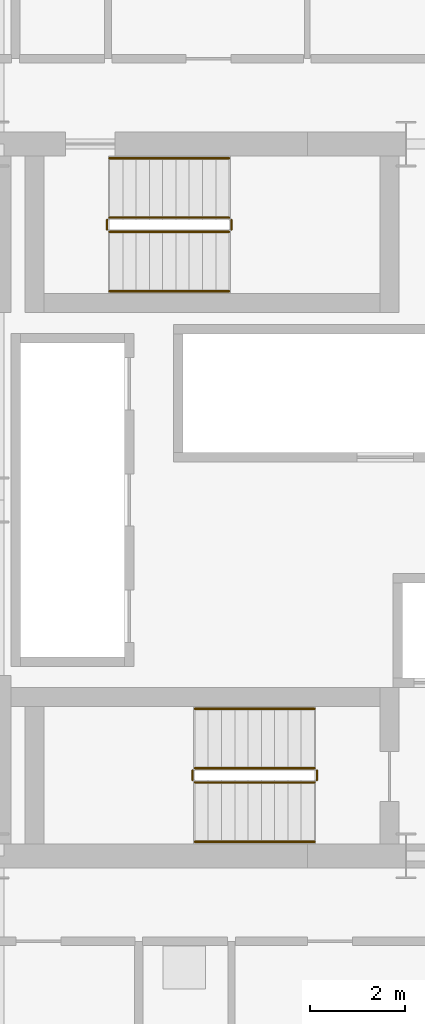
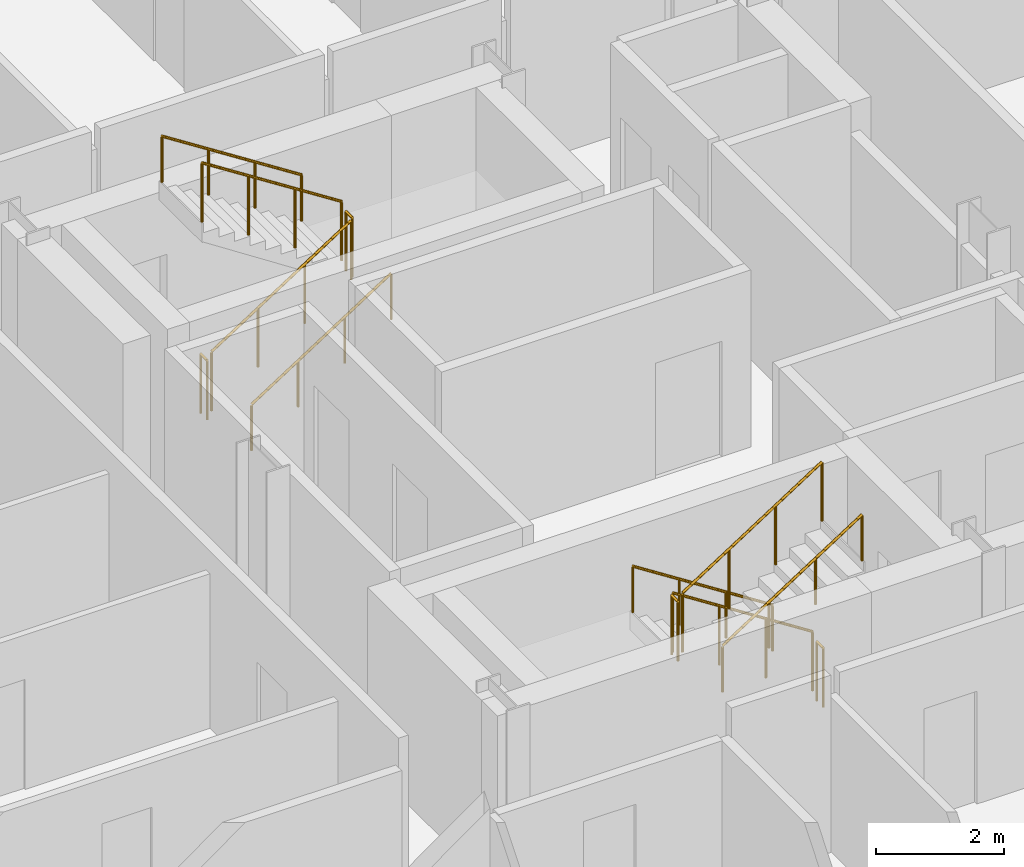
# One storey, part 23 of 24: 12 railings.
"""IFC4 building model written with IfcOpenShell, lengths in metres."""

import ifcopenshell
import ifcopenshell.guid

model = None  # the IFC model being written
_history = None  # IfcOwnerHistory: only IFC2X3 demands one
_inside = {}  # id of a spatial element -> (the spatial element, [elements in it])
_under = {}  # id of a project, library or spatial element -> (it, [spatial elements below it])
_declared = {}  # id of a project -> (the project, [libraries it declares])
_typed = {}  # id of a type object -> (the type object, [elements of that type])
_made_of = {}  # id of a material, layer set ... -> (it, [elements and type objects made of it])


def new_model(schema):
    """Start an empty IFC model of exactly this schema.

    Asked for "IFC4X3", IfcOpenShell would pick the latest addendum, in which some entities
    have other attributes; the version numbers below select the first issue.
    IFC2X3 requires an IfcOwnerHistory on every rooted entity: one is made here for all.
    """
    global model, _history
    if schema == "IFC4X3":
        model = ifcopenshell.file(schema_version=(4, 3, 0, 0))
    else:
        model = ifcopenshell.file(schema=schema)
    _inside.clear()
    _under.clear()
    _declared.clear()
    _typed.clear()
    _made_of.clear()
    _history = None
    if model.schema == "IFC2X3":
        org = make("IfcOrganization", Name="unknown")
        user = make(
            "IfcPersonAndOrganization",
            ThePerson=make("IfcPerson", FamilyName="unknown"),
            TheOrganization=org,
        )
        app = make(
            "IfcApplication",
            ApplicationDeveloper=org,
            Version="unknown",
            ApplicationFullName="unknown",
            ApplicationIdentifier="unknown",
        )
        _history = make(
            "IfcOwnerHistory",
            OwningUser=user,
            OwningApplication=app,
            ChangeAction="ADDED",
            CreationDate=0,
        )
    return model


def make(cls, **values):
    """One entity of the class cls with the attributes given. An attribute that is None is left unset."""
    return model.create_entity(
        cls, **{name: value for name, value in values.items() if value is not None}
    )


def rooted(cls, **values):
    """An entity with a GlobalId (a new one), such as an element, a storey or a relation."""
    return make(cls, GlobalId=ifcopenshell.guid.new(), OwnerHistory=_history, **values)


def si_unit(unit_type, name, prefix=None):
    """IfcSIUnit, for example si_unit("LENGTHUNIT", "METRE", prefix="MILLI")."""
    return make("IfcSIUnit", UnitType=unit_type, Prefix=prefix, Name=name)


def assignment(units):
    """IfcUnitAssignment: the units of a project."""
    return None if units is None else make("IfcUnitAssignment", Units=units)


def point(xyz):
    """IfcCartesianPoint."""
    return None if xyz is None else make("IfcCartesianPoint", Coordinates=xyz)


def direction(xyz):
    """IfcDirection."""
    return None if xyz is None else make("IfcDirection", DirectionRatios=xyz)


def frame(location, z_axis=None, x_axis=None):
    """IfcAxis2Placement3D, a coordinate frame: its origin and axes. An axis left out is left unset."""
    return make(
        "IfcAxis2Placement3D",
        Location=point(location),
        Axis=direction(z_axis),
        RefDirection=direction(x_axis),
    )


def frame_2d(location, x_axis=None):
    """IfcAxis2Placement2D, a coordinate frame in the plane: its origin and x axis."""
    return make(
        "IfcAxis2Placement2D", Location=point(location), RefDirection=direction(x_axis)
    )


def origin():
    """The frame at (0, 0, 0) with its axes left unset."""
    return frame((0.0, 0.0, 0.0))


def origin_2d():
    """The frame at (0, 0) in the plane with its x axis left unset."""
    return frame_2d((0.0, 0.0))


def place(relative_to, where):
    """IfcLocalPlacement: puts the frame where relative to a parent placement (None: the world)."""
    return make(
        "IfcLocalPlacement", PlacementRelTo=relative_to, RelativePlacement=where
    )


def context(
    kind, dimensions, precision=None, world=None, true_north=None, identifier=None
):
    """IfcGeometricRepresentationContext, for example the 3D "Model" context."""
    return make(
        "IfcGeometricRepresentationContext",
        ContextIdentifier=identifier,
        ContextType=kind,
        CoordinateSpaceDimension=dimensions,
        Precision=precision,
        WorldCoordinateSystem=world,
        TrueNorth=true_north,
    )


def subcontext(parent, identifier, kind, view, scale=None):
    """IfcGeometricRepresentationSubContext, for example "Body" below "Model"."""
    return make(
        "IfcGeometricRepresentationSubContext",
        ContextIdentifier=identifier,
        ContextType=kind,
        ParentContext=parent,
        TargetScale=scale,
        TargetView=view,
    )


def project(units=None, contexts=None):
    """IfcProject with its units and contexts."""
    return rooted(
        "IfcProject",
        Name="project",
        RepresentationContexts=contexts,
        UnitsInContext=assignment(units),
    )


def spatial(cls, under=None, at=None, **own):
    """A site, building, storey or space (cls), placed at a placement, below another one or the project."""
    s = rooted(cls, ObjectPlacement=at, **own)
    if under is not None:
        _under.setdefault(under.id(), (under, []))[1].append(s)
    return s


def profile(cls, at=None, kind="AREA", **sizes):
    """A parametric profile (cls). Its sizes go by their IFC names, for example OverallWidth=200.0."""
    return make(cls, ProfileType=kind, Position=at, **sizes)


def circle(**sizes):
    """IfcCircleProfileDef."""
    return profile("IfcCircleProfileDef", **sizes)


def extrude(swept, where, along, depth):
    """IfcExtrudedAreaSolid: the profile swept, set in the frame where, extruded along a direction by depth."""
    return make(
        "IfcExtrudedAreaSolid",
        SweptArea=swept,
        Position=where,
        ExtrudedDirection=direction(along),
        Depth=depth,
    )


def shape(context_of_items, identifier, shape_type, items):
    """IfcShapeRepresentation: the items that make up one representation, for example the "Body"."""
    return make(
        "IfcShapeRepresentation",
        ContextOfItems=context_of_items,
        RepresentationIdentifier=identifier,
        RepresentationType=shape_type,
        Items=items,
    )


def material(Name=None, Category=None):
    """IfcMaterial."""
    return make("IfcMaterial", Name=Name, Category=Category)


def made_of(thing, what):
    """Note that an element or type object is made of a material, layer set ...; save() writes the relation."""
    if what is not None:
        _made_of.setdefault(what.id(), (what, []))[1].append(thing)
    return thing


def type_object(cls, material=None, **own):
    """A type object (cls), such as IfcWallType, which elements share."""
    return made_of(rooted(cls, **own), material)


def element(
    cls,
    number,
    at=None,
    inside=None,
    cuts=None,
    type_object=None,
    material=None,
    context=None,
    identifier="Body",
    shape_type=None,
    held_by="IfcProductDefinitionShape",
    body=None,
    shapes=None,
    **own,
):
    """One element of the class cls, such as IfcWall. Its Tag is "e" and its number.

    at: its placement. inside: the storey or other place that contains it. cuts: it is an
    opening in that element (IfcRelVoidsElement). A single representation is given by context,
    identifier, shape_type and body (its items); several are given by shapes. held_by: the class
    of the entity that holds the representations. save() writes the other relations.
    """
    e = rooted(cls, Tag="e%d" % number, ObjectPlacement=at, **own)
    if body is not None:
        shapes = [shape(context, identifier, shape_type, body)]
    if shapes is not None:
        e.Representation = make(held_by, Representations=shapes)
    if inside is not None:
        _inside.setdefault(inside.id(), (inside, []))[1].append(e)
    if cuts is not None:
        rooted(
            "IfcRelVoidsElement", RelatingBuildingElement=cuts, RelatedOpeningElement=e
        )
    if type_object is not None:
        _typed.setdefault(type_object.id(), (type_object, []))[1].append(e)
    return made_of(e, material)


def aggregate(whole, parts):
    """IfcRelAggregates: a whole, such as a stair, and the parts it consists of."""
    return rooted("IfcRelAggregates", RelatingObject=whole, RelatedObjects=parts)


def save(model, path):
    """Write the relations noted so far, then the file.

    IfcRelAggregates (storeys below a building ...), IfcRelContainedInSpatialStructure (elements
    in a storey), IfcRelDefinesByType, IfcRelAssociatesMaterial and IfcRelDeclares: one each for
    every whole, place, type object, material and project.
    """
    for whole, parts in _under.values():
        aggregate(whole, parts)
    for where, things in _inside.values():
        rooted(
            "IfcRelContainedInSpatialStructure",
            RelatedElements=things,
            RelatingStructure=where,
        )
    for kind, things in _typed.values():
        rooted("IfcRelDefinesByType", RelatedObjects=things, RelatingType=kind)
    for what, things in _made_of.values():
        rooted("IfcRelAssociatesMaterial", RelatedObjects=things, RelatingMaterial=what)
    for by, libraries in _declared.values():
        rooted("IfcRelDeclares", RelatingContext=by, RelatedDefinitions=libraries)
    model.write(path)


model = new_model("IFC4")

# Units and contexts
model_context = context("Model", 3, precision=1e-05, world=origin(), true_north=direction((0.0, 1.0)))
body_context = subcontext(model_context, "Body", "Model", "MODEL_VIEW")
ifc_project = project(units=[si_unit("LENGTHUNIT", "METRE"), si_unit("AREAUNIT", "SQUARE_METRE"), si_unit("VOLUMEUNIT", "CUBIC_METRE"), si_unit("PLANEANGLEUNIT", "RADIAN"), si_unit("MASSUNIT", "GRAM", prefix="KILO")], contexts=[model_context])

# Site, building, storey
site_placement = place(None, origin())
site = spatial("IfcSite", under=ifc_project, at=site_placement, CompositionType="ELEMENT")
building_placement = place(site_placement, origin())
building = spatial("IfcBuilding", under=site, at=building_placement, Name="Barlavira Tower and Art Museum", CompositionType="ELEMENT")
storey_placement = place(building_placement, frame((0.0, 0.0, 46.800048828125)))
storey = spatial("IfcBuildingStorey", under=building, at=storey_placement, Name="L10", CompositionType="ELEMENT", Elevation=46.800048828125)

# Railings
ifc_material = material(Name="Brushed stainless steel", Category="steel")
railing_type_1 = type_object("IfcRailingType", Name="Interior Void and Landing Guard Railing 1150", PredefinedType="GUARDRAIL", material=ifc_material)
railing_1_placement = place(storey_placement, frame((0.14990234375, -5.64990234375, 0.179931640625)))
element("IfcRailing", 1, at=railing_1_placement, inside=storey, type_object=railing_type_1, Name="L10 ST-T1 stair guard 1", PredefinedType="GUARDRAIL", context=body_context, shape_type="SweptSolid", body=[
    extrude(circle(Radius=0.02392578125, at=origin_2d()), frame((0.0, 0.0, 1.1259765625), z_axis=(-0.841162588446, 0.0, 0.540782303519), x_axis=(0.0, -1.0, 0.0)), (0.0, 0.0, 1.0), 2.995849609375),
    extrude(circle(Radius=0.02099609375, at=origin_2d()), origin(), (0.0, 0.0, 1.0), 1.101806640625),
    extrude(circle(Radius=0.02099609375, at=origin_2d()), frame((-0.840087890625, 0.0, 0.5400390625)), (0.0, 0.0, 1.0), 1.101806640625),
    extrude(circle(Radius=0.02099609375, at=origin_2d()), frame((-1.679931640625, 0.0, 1.080078125)), (0.0, 0.0, 1.0), 1.101806640625),
    extrude(circle(Radius=0.02099609375, at=origin_2d()), frame((-2.52001953125, 0.0, 1.6201171875)), (0.0, 0.0, 1.0), 1.101806640625),
])
railing_2_placement = place(storey_placement, frame((-2.419921875, -5.699951171875, 1.800048828125)))
element("IfcRailing", 2, at=railing_2_placement, inside=storey, type_object=railing_type_1, Name="L10 ST-T1 stair guard 2", PredefinedType="GUARDRAIL", context=body_context, shape_type="SweptSolid", body=[
    extrude(circle(Radius=0.02392578125, at=origin_2d()), frame((0.0, 0.0, 1.1259765625), z_axis=(0.0, -1.0, 0.0), x_axis=(1.0, 0.0, 0.0)), (0.0, 0.0, 1.0), 0.199951171875),
    extrude(circle(Radius=0.02099609375, at=origin_2d()), origin(), (0.0, 0.0, 1.0), 1.101806640625),
    extrude(circle(Radius=0.02099609375, at=origin_2d()), frame((0.0, -0.199951171875, 0.0)), (0.0, 0.0, 1.0), 1.101806640625),
])
railing_3_placement = place(storey_placement, frame((-2.3701171875, -5.949951171875, 1.97998046875)))
element("IfcRailing", 3, at=railing_3_placement, inside=storey, type_object=railing_type_1, Name="L10 ST-T1 stair guard 3", PredefinedType="GUARDRAIL", context=body_context, shape_type="SweptSolid", body=[
    extrude(circle(Radius=0.02392578125, at=origin_2d()), frame((0.0, 0.0, 1.1259765625), z_axis=(0.841199657755, 0.0, 0.540724639528), x_axis=(0.0, 1.0, 0.0)), (0.0, 0.0, 1.0), 2.995849609375),
    extrude(circle(Radius=0.02099609375, at=origin_2d()), origin(), (0.0, 0.0, 1.0), 1.101806640625),
    extrude(circle(Radius=0.02099609375, at=origin_2d()), frame((0.840087890625, 0.0, 0.5400390625)), (0.0, 0.0, 1.0), 1.101806640625),
    extrude(circle(Radius=0.02099609375, at=origin_2d()), frame((1.679931640625, 0.0, 1.079833984375)), (0.0, 0.0, 1.0), 1.101806640625),
    extrude(circle(Radius=0.02099609375, at=origin_2d()), frame((2.52001953125, 0.0, 1.619873046875)), (0.0, 0.0, 1.0), 1.101806640625),
])
railing_4_placement = place(storey_placement, frame((0.199951171875, -5.699951171875, 0.0)))
element("IfcRailing", 4, at=railing_4_placement, inside=storey, type_object=railing_type_1, Name="L10 ST-T1 stair guard 4", PredefinedType="GUARDRAIL", context=body_context, shape_type="SweptSolid", body=[
    extrude(circle(Radius=0.02392578125, at=origin_2d()), frame((0.0, 0.0, 1.1259765625), z_axis=(0.0, -1.0, 0.0), x_axis=(1.0, 0.0, 0.0)), (0.0, 0.0, 1.0), 0.199951171875),
    extrude(circle(Radius=0.02099609375, at=origin_2d()), origin(), (0.0, 0.0, 1.0), 1.101806640625),
    extrude(circle(Radius=0.02099609375, at=origin_2d()), frame((0.0, -0.199951171875, 0.0)), (0.0, 0.0, 1.0), 1.101806640625),
])
railing_5_placement = place(storey_placement, frame((-4.169921875, 5.64990234375, 0.179931640625)))
element("IfcRailing", 5, at=railing_5_placement, inside=storey, type_object=railing_type_1, Name="L10 ST-T2 stair guard 1", PredefinedType="GUARDRAIL", context=body_context, shape_type="SweptSolid", body=[
    extrude(circle(Radius=0.02392578125, at=origin_2d()), frame((0.0, 0.0, 1.1259765625), z_axis=(0.841162588446, 0.0, 0.540782303519), x_axis=(0.0, 1.0, 0.0)), (0.0, 0.0, 1.0), 2.995849609375),
    extrude(circle(Radius=0.02099609375, at=origin_2d()), origin(), (0.0, 0.0, 1.0), 1.101806640625),
    extrude(circle(Radius=0.02099609375, at=origin_2d()), frame((0.840087890625, 0.0, 0.5400390625)), (0.0, 0.0, 1.0), 1.101806640625),
    extrude(circle(Radius=0.02099609375, at=origin_2d()), frame((1.679931640625, 0.0, 1.080078125)), (0.0, 0.0, 1.0), 1.101806640625),
    extrude(circle(Radius=0.02099609375, at=origin_2d()), frame((2.52001953125, 0.0, 1.6201171875)), (0.0, 0.0, 1.0), 1.101806640625),
])
railing_6_placement = place(storey_placement, frame((-1.60009765625, 5.699951171875, 1.800048828125)))
element("IfcRailing", 6, at=railing_6_placement, inside=storey, type_object=railing_type_1, Name="L10 ST-T2 stair guard 2", PredefinedType="GUARDRAIL", context=body_context, shape_type="SweptSolid", body=[
    extrude(circle(Radius=0.02392578125, at=origin_2d()), frame((0.0, 0.0, 1.1259765625), z_axis=(0.0, 1.0, 0.0), x_axis=(-1.0, 0.0, 0.0)), (0.0, 0.0, 1.0), 0.199951171875),
    extrude(circle(Radius=0.02099609375, at=origin_2d()), origin(), (0.0, 0.0, 1.0), 1.101806640625),
    extrude(circle(Radius=0.02099609375, at=origin_2d()), frame((0.0, 0.199951171875, 0.0)), (0.0, 0.0, 1.0), 1.101806640625),
])
railing_7_placement = place(storey_placement, frame((-1.64990234375, 5.949951171875, 1.97998046875)))
element("IfcRailing", 7, at=railing_7_placement, inside=storey, type_object=railing_type_1, Name="L10 ST-T2 stair guard 3", PredefinedType="GUARDRAIL", context=body_context, shape_type="SweptSolid", body=[
    extrude(circle(Radius=0.02392578125, at=origin_2d()), frame((0.0, 0.0, 1.1259765625), z_axis=(-0.841199657755, 0.0, 0.540724639528), x_axis=(0.0, -1.0, 0.0)), (0.0, 0.0, 1.0), 2.995849609375),
    extrude(circle(Radius=0.02099609375, at=origin_2d()), origin(), (0.0, 0.0, 1.0), 1.101806640625),
    extrude(circle(Radius=0.02099609375, at=origin_2d()), frame((-0.840087890625, 0.0, 0.5400390625)), (0.0, 0.0, 1.0), 1.101806640625),
    extrude(circle(Radius=0.02099609375, at=origin_2d()), frame((-1.679931640625, 0.0, 1.079833984375)), (0.0, 0.0, 1.0), 1.101806640625),
    extrude(circle(Radius=0.02099609375, at=origin_2d()), frame((-2.52001953125, 0.0, 1.619873046875)), (0.0, 0.0, 1.0), 1.101806640625),
])
railing_8_placement = place(storey_placement, frame((-4.219970703125, 5.699951171875, 0.0)))
element("IfcRailing", 8, at=railing_8_placement, inside=storey, type_object=railing_type_1, Name="L10 ST-T2 stair guard 4", PredefinedType="GUARDRAIL", context=body_context, shape_type="SweptSolid", body=[
    extrude(circle(Radius=0.02392578125, at=origin_2d()), frame((0.0, 0.0, 1.1259765625), z_axis=(0.0, 1.0, 0.0), x_axis=(-1.0, 0.0, 0.0)), (0.0, 0.0, 1.0), 0.199951171875),
    extrude(circle(Radius=0.02099609375, at=origin_2d()), origin(), (0.0, 0.0, 1.0), 1.101806640625),
    extrude(circle(Radius=0.02099609375, at=origin_2d()), frame((0.0, 0.199951171875, 0.0)), (0.0, 0.0, 1.0), 1.101806640625),
])
railing_type_2 = type_object("IfcRailingType", Name="Stair Pitch Tubular Steel Handrail 920", PredefinedType="HANDRAIL", material=ifc_material)
railing_9_placement = place(storey_placement, frame((0.14990234375, -4.39990234375, 0.179931640625)))
element("IfcRailing", 9, at=railing_9_placement, inside=storey, type_object=railing_type_2, Name="L10 ST-T1 stair handrail 1", PredefinedType="HANDRAIL", context=body_context, shape_type="SweptSolid", body=[
    extrude(circle(Radius=0.02392578125, at=origin_2d()), frame((0.0, 0.0, 0.8759765625), z_axis=(-0.841162588446, 0.0, 0.540782303519), x_axis=(0.0, -1.0, 0.0)), (0.0, 0.0, 1.0), 2.995849609375),
    extrude(circle(Radius=0.02099609375, at=origin_2d()), origin(), (0.0, 0.0, 1.0), 0.851806640625),
    extrude(circle(Radius=0.02099609375, at=origin_2d()), frame((-0.840087890625, 0.0, 0.5400390625)), (0.0, 0.0, 1.0), 0.851806640625),
    extrude(circle(Radius=0.02099609375, at=origin_2d()), frame((-1.679931640625, 0.0, 1.080078125)), (0.0, 0.0, 1.0), 0.851806640625),
    extrude(circle(Radius=0.02099609375, at=origin_2d()), frame((-2.52001953125, 0.0, 1.6201171875)), (0.0, 0.0, 1.0), 0.851806640625),
])
railing_10_placement = place(storey_placement, frame((-2.3701171875, -7.199951171875, 1.97998046875)))
element("IfcRailing", 10, at=railing_10_placement, inside=storey, type_object=railing_type_2, Name="L10 ST-T1 stair handrail 2", PredefinedType="HANDRAIL", context=body_context, shape_type="SweptSolid", body=[
    extrude(circle(Radius=0.02392578125, at=origin_2d()), frame((0.0, 0.0, 0.8759765625), z_axis=(0.841199657755, 0.0, 0.540724639528), x_axis=(0.0, 1.0, 0.0)), (0.0, 0.0, 1.0), 2.995849609375),
    extrude(circle(Radius=0.02099609375, at=origin_2d()), origin(), (0.0, 0.0, 1.0), 0.851806640625),
    extrude(circle(Radius=0.02099609375, at=origin_2d()), frame((0.840087890625, 0.0, 0.5400390625)), (0.0, 0.0, 1.0), 0.851806640625),
    extrude(circle(Radius=0.02099609375, at=origin_2d()), frame((1.679931640625, 0.0, 1.079833984375)), (0.0, 0.0, 1.0), 0.851806640625),
    extrude(circle(Radius=0.02099609375, at=origin_2d()), frame((2.52001953125, 0.0, 1.619873046875)), (0.0, 0.0, 1.0), 0.851806640625),
])
railing_11_placement = place(storey_placement, frame((-4.169921875, 4.39990234375, 0.179931640625)))
element("IfcRailing", 11, at=railing_11_placement, inside=storey, type_object=railing_type_2, Name="L10 ST-T2 stair handrail 1", PredefinedType="HANDRAIL", context=body_context, shape_type="SweptSolid", body=[
    extrude(circle(Radius=0.02392578125, at=origin_2d()), frame((0.0, 0.0, 0.8759765625), z_axis=(0.841162588446, 0.0, 0.540782303519), x_axis=(0.0, 1.0, 0.0)), (0.0, 0.0, 1.0), 2.995849609375),
    extrude(circle(Radius=0.02099609375, at=origin_2d()), origin(), (0.0, 0.0, 1.0), 0.851806640625),
    extrude(circle(Radius=0.02099609375, at=origin_2d()), frame((0.840087890625, 0.0, 0.5400390625)), (0.0, 0.0, 1.0), 0.851806640625),
    extrude(circle(Radius=0.02099609375, at=origin_2d()), frame((1.679931640625, 0.0, 1.080078125)), (0.0, 0.0, 1.0), 0.851806640625),
    extrude(circle(Radius=0.02099609375, at=origin_2d()), frame((2.52001953125, 0.0, 1.6201171875)), (0.0, 0.0, 1.0), 0.851806640625),
])
railing_12_placement = place(storey_placement, frame((-1.64990234375, 7.199951171875, 1.97998046875)))
element("IfcRailing", 12, at=railing_12_placement, inside=storey, type_object=railing_type_2, Name="L10 ST-T2 stair handrail 2", PredefinedType="HANDRAIL", context=body_context, shape_type="SweptSolid", body=[
    extrude(circle(Radius=0.02392578125, at=origin_2d()), frame((0.0, 0.0, 0.8759765625), z_axis=(-0.841199657755, 0.0, 0.540724639528), x_axis=(0.0, -1.0, 0.0)), (0.0, 0.0, 1.0), 2.995849609375),
    extrude(circle(Radius=0.02099609375, at=origin_2d()), origin(), (0.0, 0.0, 1.0), 0.851806640625),
    extrude(circle(Radius=0.02099609375, at=origin_2d()), frame((-0.840087890625, 0.0, 0.5400390625)), (0.0, 0.0, 1.0), 0.851806640625),
    extrude(circle(Radius=0.02099609375, at=origin_2d()), frame((-1.679931640625, 0.0, 1.079833984375)), (0.0, 0.0, 1.0), 0.851806640625),
    extrude(circle(Radius=0.02099609375, at=origin_2d()), frame((-2.52001953125, 0.0, 1.619873046875)), (0.0, 0.0, 1.0), 0.851806640625),
])

save(model, "model.ifc")
